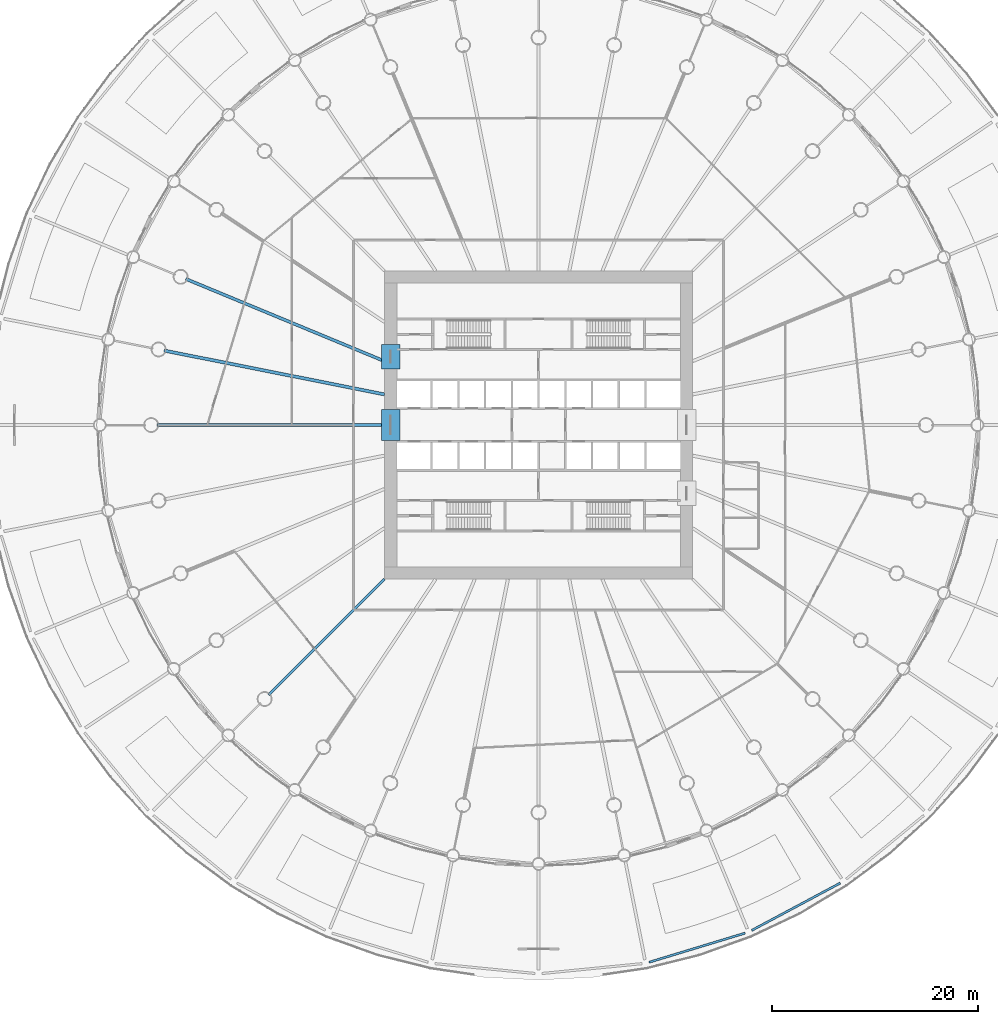
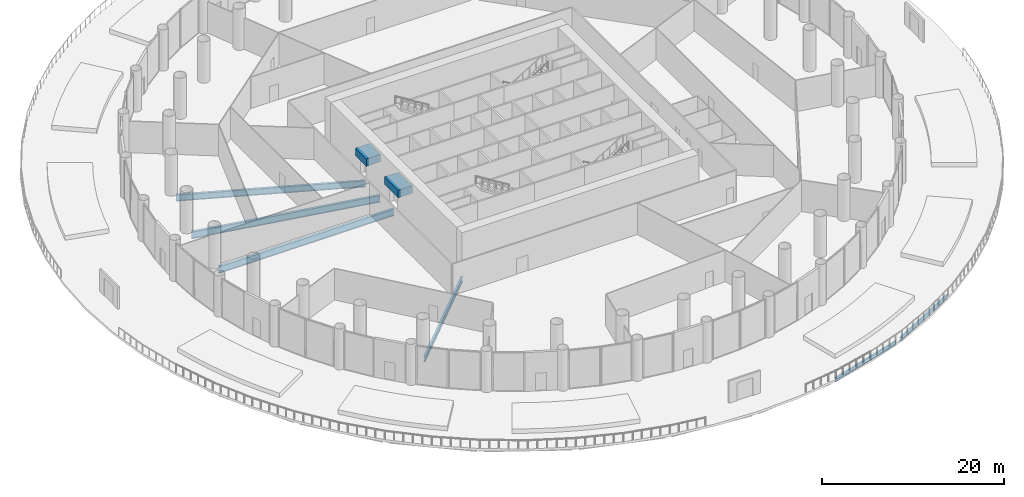
# One storey, part 9 of 36: 8 beams.
"""IFC4 building model written with IfcOpenShell, lengths in metres."""

from ifc_helpers import new_model, si_unit, direction, frame, origin, origin_2d, place, context, subcontext, project, spatial, rectangle, i_section, extrude, material, material_profile, profile_set, type_object, element, save


model = new_model("IFC4")

# Units and contexts
model_context = context("Model", 3, precision=1e-05, world=origin(), true_north=direction((0.0, 1.0)))
body_context = subcontext(model_context, "Body", "Model", "MODEL_VIEW")
ifc_project = project(units=[si_unit("LENGTHUNIT", "METRE"), si_unit("AREAUNIT", "SQUARE_METRE"), si_unit("VOLUMEUNIT", "CUBIC_METRE"), si_unit("PLANEANGLEUNIT", "RADIAN"), si_unit("MASSUNIT", "GRAM", prefix="KILO")], contexts=[model_context])

# Site, building, storey
site_placement = place(None, origin())
site = spatial("IfcSite", under=ifc_project, at=site_placement, CompositionType="ELEMENT")
building_placement = place(site_placement, origin())
building = spatial("IfcBuilding", under=site, at=building_placement, Name="Corvane Civic Tower", CompositionType="ELEMENT")
storey_placement = place(building_placement, frame((0.0, 0.0, 6.0)))
storey = spatial("IfcBuildingStorey", under=building, at=storey_placement, Name="L01", CompositionType="ELEMENT", Elevation=6.0)

# Beams
ifc_material_1 = material(Name="Concrete C80/95", Category="concrete")
ifc_material_profile_1 = material_profile(ifc_material_1, rectangle(XDim=1.800048828125, YDim=1.0, at=origin_2d()), Name="COUPLING BEAM 1800X1000")
ifc_profile_set_1 = profile_set([ifc_material_profile_1], Name="Concrete C80/95")
beam_type_1 = type_object("IfcBeamType", Name="COUPLING BEAM COUPLING BEAM 1800X1000", PredefinedType="BEAM", material=ifc_profile_set_1)
beam_1_placement = place(storey_placement, frame((-14.39990234375, -1.5, 2.60009765625), z_axis=(0.0, 1.0, 0.0), x_axis=(-1.0, 0.0, 0.0)))
element("IfcBeam", 1, at=beam_1_placement, inside=storey, type_object=beam_type_1, Name="BM-L01-cpl-CW-LW", PredefinedType="BEAM", context=body_context, shape_type="SweptSolid", body=[
    extrude(rectangle(XDim=1.800048828125, YDim=1.0, at=origin_2d()), origin(), (0.0, 0.0, 1.0), 3.0),
])
beam_2_placement = place(storey_placement, frame((-14.39990234375, 5.449951171875, 2.60009765625), z_axis=(0.0, 1.0, 0.0), x_axis=(-1.0, 0.0, 0.0)))
element("IfcBeam", 2, at=beam_2_placement, inside=storey, type_object=beam_type_1, Name="BM-L01-cpl-CW-WN", PredefinedType="BEAM", context=body_context, shape_type="SweptSolid", body=[
    extrude(rectangle(XDim=1.800048828125, YDim=1.0, at=origin_2d()), origin(), (0.0, 0.0, 1.0), 2.400146484375),
])
ifc_material_2 = material(Name="Steel ASTM A992 Gr 50", Category="steel")
ifc_material_profile_2 = material_profile(ifc_material_2, i_section(OverallWidth=0.209228515625, OverallDepth=0.533447265625, WebThickness=0.01025390625, FlangeThickness=0.015625, at=origin_2d()), Name="W21X62")
ifc_profile_set_2 = profile_set([ifc_material_profile_2], Name="Steel ASTM A992 Gr 50")
beam_type_2 = type_object("IfcBeamType", Name="EDGE BEAM W21X62", PredefinedType="BEAM", material=ifc_profile_set_2)
for number, where, z_axis, x_axis, name in (
    (3, (29.35888671875, -44.5654296875, -0.566650390625), (-0.881924323833, -0.471391012889, 0.0), (0.471391012889, -0.881924323833, 0.0), "BM-L01-H14"),
    (4, (20.100341796875, -49.436767578125, -0.566650390625), (-0.956937126901, -0.290295255144, 0.0), (0.290295255144, -0.956937126901, 0.0), "BM-L01-H15"),
):
    element("IfcBeam", number, at=place(storey_placement, frame(where, z_axis=z_axis, x_axis=x_axis)), inside=storey, type_object=beam_type_2, Name=name, PredefinedType="BEAM", context=body_context, shape_type="SweptSolid", body=[
        extrude(i_section(OverallWidth=0.209228515625, OverallDepth=0.533447265625, WebThickness=0.01025390625, FlangeThickness=0.015625, at=origin_2d()), origin(), (0.0, 0.0, 1.0), 9.768310546875),
    ])
ifc_material_3 = material(Name="Steel ASTM A992 Gr 50", Category="steel")
ifc_material_profile_3 = material_profile(ifc_material_3, i_section(OverallWidth=0.25390625, OverallDepth=0.67822265625, WebThickness=0.01171875, FlangeThickness=0.016357421875, at=origin_2d()), Name="W27X84")
ifc_profile_set_3 = profile_set([ifc_material_profile_3], Name="Steel ASTM A992 Gr 50")
beam_type_3 = type_object("IfcBeamType", Name="FLOOR GIRDER W27X84", PredefinedType="BEAM", material=ifc_profile_set_3)
beam_3_placement = place(storey_placement, frame((-15.0, -15.0, -0.63916015625), z_axis=(-0.707106781187, -0.707106781187, 0.0), x_axis=(0.707106781187, -0.707106781187, 0.0)))
element("IfcBeam", 5, at=beam_3_placement, inside=storey, type_object=beam_type_3, Name="BM-L01-G21", PredefinedType="BEAM", context=body_context, shape_type="SweptSolid", body=[
    extrude(i_section(OverallWidth=0.25390625, OverallDepth=0.67822265625, WebThickness=0.01171875, FlangeThickness=0.016357421875, at=origin_2d()), origin(), (0.0, 0.0, 1.0), 15.936767578125),
])
ifc_material_4 = material(Name="Steel ASTM A992 Gr 50", Category="steel")
ifc_material_profile_4 = material_profile(ifc_material_4, i_section(OverallWidth=0.2919921875, OverallDepth=0.845703125, WebThickness=0.015380859375, FlangeThickness=0.0244140625, at=origin_2d()), Name="W33X141")
ifc_profile_set_4 = profile_set([ifc_material_profile_4], Name="Steel ASTM A992 Gr 50")
beam_type_4 = type_object("IfcBeamType", Name="FLOOR GIRDER W33X141", PredefinedType="BEAM", material=ifc_profile_set_4)
beam_4_placement = place(storey_placement, frame((-15.0, 6.213134765625, -0.722900390625), z_axis=(-0.923875834355, 0.382692360381, 0.0), x_axis=(-0.382692360381, -0.923875834355, 0.0)))
element("IfcBeam", 6, at=beam_4_placement, inside=storey, type_object=beam_type_4, Name="BM-L01-G27", PredefinedType="BEAM", context=body_context, shape_type="SweptSolid", body=[
    extrude(i_section(OverallWidth=0.2919921875, OverallDepth=0.845703125, WebThickness=0.015380859375, FlangeThickness=0.0244140625, at=origin_2d()), origin(), (0.0, 0.0, 1.0), 20.9140625),
])
ifc_material_5 = material(Name="Steel ASTM A992 Gr 50", Category="steel")
ifc_material_profile_5 = material_profile(ifc_material_5, i_section(OverallWidth=0.3046875, OverallDepth=0.911865234375, WebThickness=0.015869140625, FlangeThickness=0.02392578125, at=origin_2d()), Name="W36X150")
ifc_profile_set_5 = profile_set([ifc_material_profile_5], Name="Steel ASTM A992 Gr 50")
beam_type_5 = type_object("IfcBeamType", Name="FLOOR GIRDER W36X150", PredefinedType="BEAM", material=ifc_profile_set_5)
beam_5_placement = place(storey_placement, frame((-15.0, 0.0, -0.755859375), z_axis=(-1.0, 0.0, 0.0), x_axis=(0.0, -1.0, 0.0)))
element("IfcBeam", 7, at=beam_5_placement, inside=storey, type_object=beam_type_5, Name="BM-L01-G25", PredefinedType="BEAM", context=body_context, shape_type="SweptSolid", body=[
    extrude(i_section(OverallWidth=0.3046875, OverallDepth=0.911865234375, WebThickness=0.015869140625, FlangeThickness=0.02392578125, at=origin_2d()), origin(), (0.0, 0.0, 1.0), 22.14990234375),
])
beam_6_placement = place(storey_placement, frame((-15.0, 2.983642578125, -0.755859375), z_axis=(-0.980785499679, 0.195089219638, 0.0), x_axis=(-0.195089219638, -0.980785499679, 0.0)))
element("IfcBeam", 8, at=beam_6_placement, inside=storey, type_object=beam_type_5, Name="BM-L01-G26", PredefinedType="BEAM", context=body_context, shape_type="SweptSolid", body=[
    extrude(i_section(OverallWidth=0.3046875, OverallDepth=0.911865234375, WebThickness=0.015869140625, FlangeThickness=0.02392578125, at=origin_2d()), origin(), (0.0, 0.0, 1.0), 21.856201171875),
])

save(model, "model.ifc")
